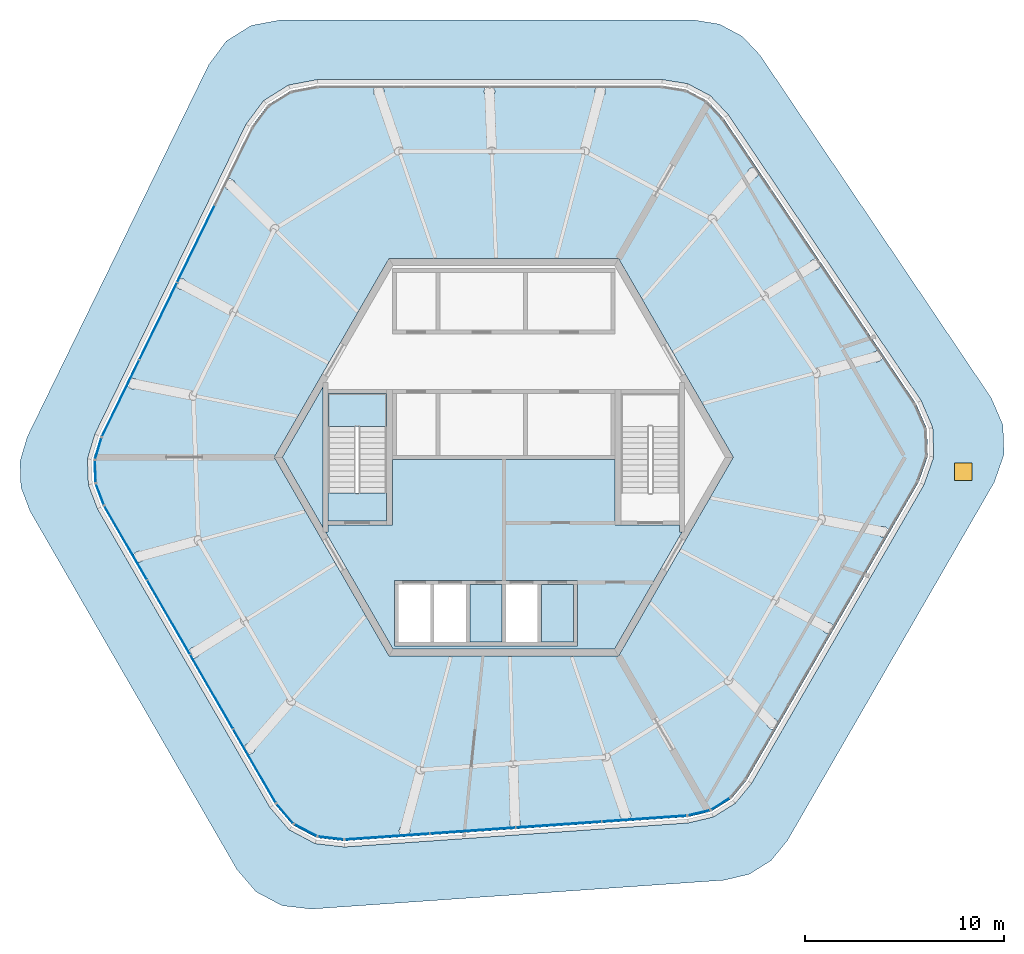
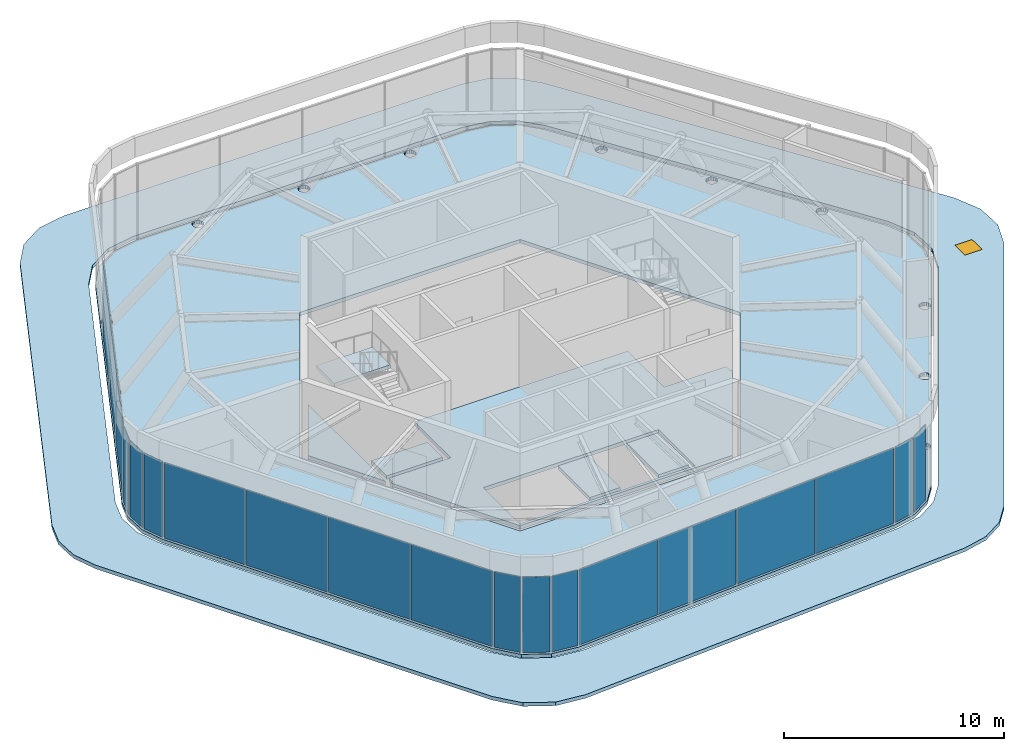
"""IFC4 building model written with IfcOpenShell, lengths in metres."""

import ifcopenshell
import ifcopenshell.guid

model = None  # the IFC model being written
_history = None  # IfcOwnerHistory: only IFC2X3 demands one
_inside = {}  # id of a spatial element -> (the spatial element, [elements in it])
_under = {}  # id of a project, library or spatial element -> (it, [spatial elements below it])
_declared = {}  # id of a project -> (the project, [libraries it declares])
_typed = {}  # id of a type object -> (the type object, [elements of that type])
_made_of = {}  # id of a material, layer set ... -> (it, [elements and type objects made of it])


def new_model(schema):
    """Start an empty IFC model of exactly this schema.

    Asked for "IFC4X3", IfcOpenShell would pick the latest addendum, in which some entities
    have other attributes; the version numbers below select the first issue.
    IFC2X3 requires an IfcOwnerHistory on every rooted entity: one is made here for all.
    """
    global model, _history
    if schema == "IFC4X3":
        model = ifcopenshell.file(schema_version=(4, 3, 0, 0))
    else:
        model = ifcopenshell.file(schema=schema)
    _inside.clear()
    _under.clear()
    _declared.clear()
    _typed.clear()
    _made_of.clear()
    _history = None
    if model.schema == "IFC2X3":
        org = make("IfcOrganization", Name="unknown")
        user = make(
            "IfcPersonAndOrganization",
            ThePerson=make("IfcPerson", FamilyName="unknown"),
            TheOrganization=org,
        )
        app = make(
            "IfcApplication",
            ApplicationDeveloper=org,
            Version="unknown",
            ApplicationFullName="unknown",
            ApplicationIdentifier="unknown",
        )
        _history = make(
            "IfcOwnerHistory",
            OwningUser=user,
            OwningApplication=app,
            ChangeAction="ADDED",
            CreationDate=0,
        )
    return model


def make(cls, **values):
    """One entity of the class cls with the attributes given. An attribute that is None is left unset."""
    return model.create_entity(
        cls, **{name: value for name, value in values.items() if value is not None}
    )


def rooted(cls, **values):
    """An entity with a GlobalId (a new one), such as an element, a storey or a relation."""
    return make(cls, GlobalId=ifcopenshell.guid.new(), OwnerHistory=_history, **values)


def si_unit(unit_type, name, prefix=None):
    """IfcSIUnit, for example si_unit("LENGTHUNIT", "METRE", prefix="MILLI")."""
    return make("IfcSIUnit", UnitType=unit_type, Prefix=prefix, Name=name)


def assignment(units):
    """IfcUnitAssignment: the units of a project."""
    return None if units is None else make("IfcUnitAssignment", Units=units)


def point(xyz):
    """IfcCartesianPoint."""
    return None if xyz is None else make("IfcCartesianPoint", Coordinates=xyz)


def direction(xyz):
    """IfcDirection."""
    return None if xyz is None else make("IfcDirection", DirectionRatios=xyz)


def frame(location, z_axis=None, x_axis=None):
    """IfcAxis2Placement3D, a coordinate frame: its origin and axes. An axis left out is left unset."""
    return make(
        "IfcAxis2Placement3D",
        Location=point(location),
        Axis=direction(z_axis),
        RefDirection=direction(x_axis),
    )


def frame_2d(location, x_axis=None):
    """IfcAxis2Placement2D, a coordinate frame in the plane: its origin and x axis."""
    return make(
        "IfcAxis2Placement2D", Location=point(location), RefDirection=direction(x_axis)
    )


def origin():
    """The frame at (0, 0, 0) with its axes left unset."""
    return frame((0.0, 0.0, 0.0))


def origin_2d():
    """The frame at (0, 0) in the plane with its x axis left unset."""
    return frame_2d((0.0, 0.0))


def place(relative_to, where):
    """IfcLocalPlacement: puts the frame where relative to a parent placement (None: the world)."""
    return make(
        "IfcLocalPlacement", PlacementRelTo=relative_to, RelativePlacement=where
    )


def context(
    kind, dimensions, precision=None, world=None, true_north=None, identifier=None
):
    """IfcGeometricRepresentationContext, for example the 3D "Model" context."""
    return make(
        "IfcGeometricRepresentationContext",
        ContextIdentifier=identifier,
        ContextType=kind,
        CoordinateSpaceDimension=dimensions,
        Precision=precision,
        WorldCoordinateSystem=world,
        TrueNorth=true_north,
    )


def subcontext(parent, identifier, kind, view, scale=None):
    """IfcGeometricRepresentationSubContext, for example "Body" below "Model"."""
    return make(
        "IfcGeometricRepresentationSubContext",
        ContextIdentifier=identifier,
        ContextType=kind,
        ParentContext=parent,
        TargetScale=scale,
        TargetView=view,
    )


def project(units=None, contexts=None):
    """IfcProject with its units and contexts."""
    return rooted(
        "IfcProject",
        Name="project",
        RepresentationContexts=contexts,
        UnitsInContext=assignment(units),
    )


def spatial(cls, under=None, at=None, **own):
    """A site, building, storey or space (cls), placed at a placement, below another one or the project."""
    s = rooted(cls, ObjectPlacement=at, **own)
    if under is not None:
        _under.setdefault(under.id(), (under, []))[1].append(s)
    return s


def polyline(points):
    """IfcPolyline through the points."""
    return make("IfcPolyline", Points=[point(p) for p in points])


def profile(cls, at=None, kind="AREA", **sizes):
    """A parametric profile (cls). Its sizes go by their IFC names, for example OverallWidth=200.0."""
    return make(cls, ProfileType=kind, Position=at, **sizes)


def rectangle(**sizes):
    """IfcRectangleProfileDef."""
    return profile("IfcRectangleProfileDef", **sizes)


def outline(outer, holes=None, kind="AREA"):
    """IfcArbitraryClosedProfileDef: a profile drawn as a closed curve; with holes, ...WithVoids."""
    if holes is None:
        return make("IfcArbitraryClosedProfileDef", ProfileType=kind, OuterCurve=outer)
    return make(
        "IfcArbitraryProfileDefWithVoids",
        ProfileType=kind,
        OuterCurve=outer,
        InnerCurves=holes,
    )


def extrude(swept, where, along, depth):
    """IfcExtrudedAreaSolid: the profile swept, set in the frame where, extruded along a direction by depth."""
    return make(
        "IfcExtrudedAreaSolid",
        SweptArea=swept,
        Position=where,
        ExtrudedDirection=direction(along),
        Depth=depth,
    )


def shape(context_of_items, identifier, shape_type, items):
    """IfcShapeRepresentation: the items that make up one representation, for example the "Body"."""
    return make(
        "IfcShapeRepresentation",
        ContextOfItems=context_of_items,
        RepresentationIdentifier=identifier,
        RepresentationType=shape_type,
        Items=items,
    )


def material(Name=None, Category=None):
    """IfcMaterial."""
    return make("IfcMaterial", Name=Name, Category=Category)


def layer(
    of_material, thickness, ventilated=None, Name=None, Category=None, Priority=None
):
    """IfcMaterialLayer: one layer of a wall or slab, of a material (None: an air gap)."""
    return make(
        "IfcMaterialLayer",
        Material=of_material,
        LayerThickness=thickness,
        IsVentilated=ventilated,
        Name=Name,
        Category=Category,
        Priority=Priority,
    )


def layer_set(layers, Name=None):
    """IfcMaterialLayerSet."""
    return make("IfcMaterialLayerSet", MaterialLayers=layers, LayerSetName=Name)


def made_of(thing, what):
    """Note that an element or type object is made of a material, layer set ...; save() writes the relation."""
    if what is not None:
        _made_of.setdefault(what.id(), (what, []))[1].append(thing)
    return thing


def type_object(cls, material=None, **own):
    """A type object (cls), such as IfcWallType, which elements share."""
    return made_of(rooted(cls, **own), material)


def element(
    cls,
    number,
    at=None,
    inside=None,
    cuts=None,
    type_object=None,
    material=None,
    context=None,
    identifier="Body",
    shape_type=None,
    held_by="IfcProductDefinitionShape",
    body=None,
    shapes=None,
    **own,
):
    """One element of the class cls, such as IfcWall. Its Tag is "e" and its number.

    at: its placement. inside: the storey or other place that contains it. cuts: it is an
    opening in that element (IfcRelVoidsElement). A single representation is given by context,
    identifier, shape_type and body (its items); several are given by shapes. held_by: the class
    of the entity that holds the representations. save() writes the other relations.
    """
    e = rooted(cls, Tag="e%d" % number, ObjectPlacement=at, **own)
    if body is not None:
        shapes = [shape(context, identifier, shape_type, body)]
    if shapes is not None:
        e.Representation = make(held_by, Representations=shapes)
    if inside is not None:
        _inside.setdefault(inside.id(), (inside, []))[1].append(e)
    if cuts is not None:
        rooted(
            "IfcRelVoidsElement", RelatingBuildingElement=cuts, RelatedOpeningElement=e
        )
    if type_object is not None:
        _typed.setdefault(type_object.id(), (type_object, []))[1].append(e)
    return made_of(e, material)


def fill(opening, filler):
    """IfcRelFillsElement: the door or window that sits in an opening."""
    return rooted(
        "IfcRelFillsElement",
        RelatingOpeningElement=opening,
        RelatedBuildingElement=filler,
    )


def aggregate(whole, parts):
    """IfcRelAggregates: a whole, such as a stair, and the parts it consists of."""
    return rooted("IfcRelAggregates", RelatingObject=whole, RelatedObjects=parts)


def save(model, path):
    """Write the relations noted so far, then the file.

    IfcRelAggregates (storeys below a building ...), IfcRelContainedInSpatialStructure (elements
    in a storey), IfcRelDefinesByType, IfcRelAssociatesMaterial and IfcRelDeclares: one each for
    every whole, place, type object, material and project.
    """
    for whole, parts in _under.values():
        aggregate(whole, parts)
    for where, things in _inside.values():
        rooted(
            "IfcRelContainedInSpatialStructure",
            RelatedElements=things,
            RelatingStructure=where,
        )
    for kind, things in _typed.values():
        rooted("IfcRelDefinesByType", RelatedObjects=things, RelatingType=kind)
    for what, things in _made_of.values():
        rooted("IfcRelAssociatesMaterial", RelatedObjects=things, RelatingMaterial=what)
    for by, libraries in _declared.values():
        rooted("IfcRelDeclares", RelatingContext=by, RelatedDefinitions=libraries)
    model.write(path)


model = new_model("IFC4")

# Units and contexts
model_context = context("Model", 3, precision=1e-05, world=origin(), true_north=direction((0.0, 1.0)))
body_context = subcontext(model_context, "Body", "Model", "MODEL_VIEW")
ifc_project = project(units=[si_unit("LENGTHUNIT", "METRE"), si_unit("AREAUNIT", "SQUARE_METRE"), si_unit("VOLUMEUNIT", "CUBIC_METRE"), si_unit("PLANEANGLEUNIT", "RADIAN"), si_unit("MASSUNIT", "GRAM", prefix="KILO")], contexts=[model_context])

# Site, building, storey
site_placement = place(None, origin())
site = spatial("IfcSite", under=ifc_project, at=site_placement, CompositionType="ELEMENT")
building_placement = place(site_placement, origin())
building = spatial("IfcBuilding", under=site, at=building_placement, Name="Tarnside Tower", CompositionType="ELEMENT")
storey_1_placement = place(building_placement, frame((0.0, 0.0, 392.699951171875)))
storey_1 = spatial("IfcBuildingStorey", under=building, at=storey_1_placement, Name="L93", CompositionType="ELEMENT", Elevation=392.699951171875)

# Slabs
ifc_material_1 = material(Name="Concrete C35/45", Category="concrete")
ifc_layer_1 = layer(ifc_material_1, 0.199951171875)
ifc_layer_set_1 = layer_set([ifc_layer_1], Name="Composite floor slab 200")
slab_type_1 = type_object("IfcSlabType", Name="Composite floor slab 200", PredefinedType="FLOOR", material=ifc_layer_set_1)
slab_1_placement = place(storey_1_placement, frame((0.0, 0.0, -0.199951171875)))
element("IfcSlab", 1, at=slab_1_placement, inside=storey_1, type_object=slab_type_1, Name="Floor slab L93", PredefinedType="FLOOR", context=body_context, shape_type="SweptSolid", body=[
    extrude(outline(polyline([(-20.3037109375, 1.029052734375), (-12.698486328125, 16.6220703125), (-11.880615234375, 17.720703125), (-10.718994140625, 18.446533203125), (-9.373046875, 18.699951171875), (7.9755859375, 18.699951171875), (9.159912109375, 18.50537109375), (10.219482421875, 17.94189453125), (11.043212890625, 17.069091796875), (20.744384765625, 2.686279296875), (21.286865234375, 1.4287109375), (21.334716796875, 0.059814453125), (20.881103515625, -1.232666015625), (12.206787109375, -16.257080078125), (11.4462890625, -17.185302734375), (10.428466796875, -17.8212890625), (9.2607421875, -18.09814453125), (-8.0458984375, -19.308349609375), (-9.40625, -19.1494140625), (-10.615478515625, -18.506103515625), (-11.50830078125, -17.46728515625), (-20.1826171875, -2.44287109375), (-20.606201171875, -1.320068359375), (-20.64794921875, -0.12060546875), (-20.3037109375, 1.029052734375)]), holes=[polyline([(-11.547119140625, 0.0), (-5.7734375, -10.0), (5.7734375, -10.0), (11.547119140625, 0.0), (5.7734375, 10.0), (-5.7734375, 10.0), (-11.547119140625, 0.0)]), polyline([(5.044921875, 18.59375), (4.9560546875, 18.653076171875), (4.851318359375, 18.674072265625), (4.746337890625, 18.653076171875), (4.657470703125, 18.59375), (4.59814453125, 18.5048828125), (4.5771484375, 18.39990234375), (4.59814453125, 18.295166015625), (4.657470703125, 18.206298828125), (4.746337890625, 18.14697265625), (4.851318359375, 18.1259765625), (4.9560546875, 18.14697265625), (5.044921875, 18.206298828125), (5.1044921875, 18.295166015625), (5.125244140625, 18.39990234375), (5.1044921875, 18.5048828125), (5.044921875, 18.59375)]), polyline([(-0.468017578125, 18.5048828125), (-0.527099609375, 18.59375), (-0.6162109375, 18.653076171875), (-0.720947265625, 18.674072265625), (-0.82568359375, 18.653076171875), (-0.914794921875, 18.59375), (-0.97412109375, 18.5048828125), (-0.9951171875, 18.39990234375), (-0.97412109375, 18.295166015625), (-0.914794921875, 18.206298828125), (-0.82568359375, 18.14697265625), (-0.720947265625, 18.1259765625), (-0.6162109375, 18.14697265625), (-0.527099609375, 18.206298828125), (-0.468017578125, 18.295166015625), (-0.447021484375, 18.39990234375), (-0.468017578125, 18.5048828125)]), polyline([(-6.019287109375, 18.39990234375), (-6.0400390625, 18.5048828125), (-6.099609375, 18.59375), (-6.1884765625, 18.653076171875), (-6.293212890625, 18.674072265625), (-6.398193359375, 18.653076171875), (-6.487060546875, 18.59375), (-6.54638671875, 18.5048828125), (-6.567138671875, 18.39990234375), (-6.54638671875, 18.295166015625), (-6.487060546875, 18.206298828125), (-6.398193359375, 18.14697265625), (-6.293212890625, 18.1259765625), (-6.1884765625, 18.14697265625), (-6.099609375, 18.206298828125), (-6.0400390625, 18.295166015625), (-6.019287109375, 18.39990234375)]), polyline([(-13.52587890625, 13.617431640625), (-13.5048828125, 13.722412109375), (-13.52587890625, 13.8271484375), (-13.585205078125, 13.916015625), (-13.67431640625, 13.9755859375), (-13.779052734375, 13.996337890625), (-13.8837890625, 13.9755859375), (-13.972900390625, 13.916015625), (-14.0322265625, 13.8271484375), (-14.052978515625, 13.722412109375), (-14.0322265625, 13.617431640625), (-13.972900390625, 13.528564453125), (-13.8837890625, 13.46923828125), (-13.779052734375, 13.4482421875), (-13.67431640625, 13.46923828125), (-13.585205078125, 13.528564453125), (-13.52587890625, 13.617431640625)]), polyline([(-16.028076171875, 8.520263671875), (-15.968505859375, 8.609130859375), (-15.94775390625, 8.714111328125), (-15.968505859375, 8.81884765625), (-16.028076171875, 8.90771484375), (-16.116943359375, 8.96728515625), (-16.2216796875, 8.988037109375), (-16.32666015625, 8.96728515625), (-16.41552734375, 8.90771484375), (-16.474853515625, 8.81884765625), (-16.495849609375, 8.714111328125), (-16.474853515625, 8.609130859375), (-16.41552734375, 8.520263671875), (-16.32666015625, 8.4609375), (-16.2216796875, 8.43994140625), (-16.116943359375, 8.4609375), (-16.028076171875, 8.520263671875)]), polyline([(-18.5595703125, 3.45263671875), (-18.470703125, 3.511962890625), (-18.411376953125, 3.600830078125), (-18.390380859375, 3.705810546875), (-18.411376953125, 3.810546875), (-18.470703125, 3.8994140625), (-18.5595703125, 3.958984375), (-18.66455078125, 3.979736328125), (-18.769287109375, 3.958984375), (-18.858154296875, 3.8994140625), (-18.91748046875, 3.810546875), (-18.9384765625, 3.705810546875), (-18.91748046875, 3.600830078125), (-18.858154296875, 3.511962890625), (-18.769287109375, 3.45263671875), (-18.66455078125, 3.431640625), (-18.5595703125, 3.45263671875)]), polyline([(-18.360595703125, -5.272705078125), (-18.255615234375, -5.251708984375), (-18.166748046875, -5.1923828125), (-18.107421875, -5.103515625), (-18.08642578125, -4.998779296875), (-18.107421875, -4.893798828125), (-18.166748046875, -4.804931640625), (-18.255615234375, -4.74560546875), (-18.360595703125, -4.724609375), (-18.46533203125, -4.74560546875), (-18.55419921875, -4.804931640625), (-18.613525390625, -4.893798828125), (-18.634521484375, -4.998779296875), (-18.613525390625, -5.103515625), (-18.55419921875, -5.1923828125), (-18.46533203125, -5.251708984375), (-18.360595703125, -5.272705078125)]), polyline([(-15.67919921875, -10.077392578125), (-15.574462890625, -10.098388671875), (-15.469482421875, -10.077392578125), (-15.380615234375, -10.01806640625), (-15.3212890625, -9.92919921875), (-15.30029296875, -9.824462890625), (-15.3212890625, -9.719482421875), (-15.380615234375, -9.630615234375), (-15.469482421875, -9.5712890625), (-15.574462890625, -9.55029296875), (-15.67919921875, -9.5712890625), (-15.76806640625, -9.630615234375), (-15.827392578125, -9.719482421875), (-15.848388671875, -9.824462890625), (-15.827392578125, -9.92919921875), (-15.76806640625, -10.01806640625), (-15.67919921875, -10.077392578125)]), polyline([(-12.98193359375, -14.84375), (-12.89306640625, -14.9033203125), (-12.788330078125, -14.924072265625), (-12.683349609375, -14.9033203125), (-12.594482421875, -14.84375), (-12.53515625, -14.7548828125), (-12.514404296875, -14.650146484375), (-12.53515625, -14.545166015625), (-12.594482421875, -14.456298828125), (-12.683349609375, -14.39697265625), (-12.788330078125, -14.376220703125), (-12.89306640625, -14.39697265625), (-12.98193359375, -14.456298828125), (-13.04150390625, -14.545166015625), (-13.062255859375, -14.650146484375), (-13.04150390625, -14.7548828125), (-12.98193359375, -14.84375)]), polyline([(-5.24755859375, -18.89892578125), (-5.18798828125, -18.98779296875), (-5.09912109375, -19.04736328125), (-4.994384765625, -19.068115234375), (-4.889404296875, -19.04736328125), (-4.800537109375, -18.98779296875), (-4.7412109375, -18.89892578125), (-4.720458984375, -18.794189453125), (-4.7412109375, -18.689208984375), (-4.800537109375, -18.600341796875), (-4.889404296875, -18.541015625), (-4.994384765625, -18.520263671875), (-5.09912109375, -18.541015625), (-5.18798828125, -18.600341796875), (-5.24755859375, -18.689208984375), (-5.268310546875, -18.794189453125), (-5.24755859375, -18.89892578125)]), polyline([(0.290283203125, -18.405517578125), (0.311279296875, -18.51025390625), (0.37060546875, -18.59912109375), (0.45947265625, -18.65869140625), (0.564208984375, -18.679443359375), (0.669189453125, -18.65869140625), (0.758056640625, -18.59912109375), (0.8173828125, -18.51025390625), (0.83837890625, -18.405517578125), (0.8173828125, -18.300537109375), (0.758056640625, -18.211669921875), (0.669189453125, -18.15234375), (0.564208984375, -18.131591796875), (0.45947265625, -18.15234375), (0.37060546875, -18.211669921875), (0.311279296875, -18.300537109375), (0.290283203125, -18.405517578125)]), polyline([(5.869873046875, -17.911865234375), (5.84912109375, -18.016845703125), (5.869873046875, -18.12158203125), (5.92919921875, -18.21044921875), (6.01806640625, -18.27001953125), (6.123046875, -18.290771484375), (6.227783203125, -18.27001953125), (6.316650390625, -18.21044921875), (6.376220703125, -18.12158203125), (6.39697265625, -18.016845703125), (6.376220703125, -17.911865234375), (6.316650390625, -17.822998046875), (6.227783203125, -17.763671875), (6.123046875, -17.742919921875), (6.01806640625, -17.763671875), (5.92919921875, -17.822998046875), (5.869873046875, -17.911865234375)]), polyline([(13.3154296875, -13.20751953125), (13.256103515625, -13.29638671875), (13.235107421875, -13.4013671875), (13.256103515625, -13.506103515625), (13.3154296875, -13.594970703125), (13.404296875, -13.654296875), (13.50927734375, -13.67529296875), (13.614013671875, -13.654296875), (13.702880859375, -13.594970703125), (13.762451171875, -13.506103515625), (13.783203125, -13.4013671875), (13.762451171875, -13.29638671875), (13.702880859375, -13.20751953125), (13.614013671875, -13.148193359375), (13.50927734375, -13.127197265625), (13.404296875, -13.148193359375), (13.3154296875, -13.20751953125)]), polyline([(16.1904296875, -8.322509765625), (16.1015625, -8.3818359375), (16.042236328125, -8.470703125), (16.021484375, -8.57568359375), (16.042236328125, -8.680419921875), (16.1015625, -8.769287109375), (16.1904296875, -8.82861328125), (16.29541015625, -8.849609375), (16.400146484375, -8.82861328125), (16.489013671875, -8.769287109375), (16.548583984375, -8.680419921875), (16.5693359375, -8.57568359375), (16.548583984375, -8.470703125), (16.489013671875, -8.3818359375), (16.400146484375, -8.322509765625), (16.29541015625, -8.301513671875), (16.1904296875, -8.322509765625)]), polyline([(19.08154296875, -3.475830078125), (18.9765625, -3.496826171875), (18.8876953125, -3.55615234375), (18.828369140625, -3.64501953125), (18.8076171875, -3.75), (18.828369140625, -3.854736328125), (18.8876953125, -3.943603515625), (18.9765625, -4.0029296875), (19.08154296875, -4.02392578125), (19.186279296875, -4.0029296875), (19.275146484375, -3.943603515625), (19.334716796875, -3.854736328125), (19.35546875, -3.75), (19.334716796875, -3.64501953125), (19.275146484375, -3.55615234375), (19.186279296875, -3.496826171875), (19.08154296875, -3.475830078125)]), polyline([(18.87841796875, 5.324951171875), (18.7734375, 5.345703125), (18.668701171875, 5.324951171875), (18.57958984375, 5.265625), (18.520263671875, 5.1767578125), (18.49951171875, 5.07177734375), (18.520263671875, 4.967041015625), (18.57958984375, 4.878173828125), (18.668701171875, 4.818603515625), (18.7734375, 4.7978515625), (18.87841796875, 4.818603515625), (18.96728515625, 4.878173828125), (19.026611328125, 4.967041015625), (19.04736328125, 5.07177734375), (19.026611328125, 5.1767578125), (18.96728515625, 5.265625), (18.87841796875, 5.324951171875)]), polyline([(15.851318359375, 9.88525390625), (15.76220703125, 9.944580078125), (15.657470703125, 9.96533203125), (15.552490234375, 9.944580078125), (15.463623046875, 9.88525390625), (15.404296875, 9.79638671875), (15.383544921875, 9.69140625), (15.404296875, 9.586669921875), (15.463623046875, 9.497802734375), (15.552490234375, 9.438232421875), (15.657470703125, 9.41748046875), (15.76220703125, 9.438232421875), (15.851318359375, 9.497802734375), (15.91064453125, 9.586669921875), (15.931396484375, 9.69140625), (15.91064453125, 9.79638671875), (15.851318359375, 9.88525390625)]), polyline([(12.794677734375, 14.416015625), (12.735107421875, 14.5048828125), (12.646484375, 14.564208984375), (12.54150390625, 14.5849609375), (12.4365234375, 14.564208984375), (12.347900390625, 14.5048828125), (12.288330078125, 14.416015625), (12.267578125, 14.31103515625), (12.288330078125, 14.206298828125), (12.347900390625, 14.1171875), (12.4365234375, 14.057861328125), (12.54150390625, 14.037109375), (12.646484375, 14.057861328125), (12.735107421875, 14.1171875), (12.794677734375, 14.206298828125), (12.8154296875, 14.31103515625), (12.794677734375, 14.416015625)])]), origin(), (0.0, 0.0, 1.0), 0.199951171875),
])
ifc_material_2 = material(Name="Concrete C40/50", Category="concrete")
ifc_layer_2 = layer(ifc_material_2, 0.199951171875)
ifc_layer_set_2 = layer_set([ifc_layer_2], Name="Core crown slab C40/50")
slab_type_2 = type_object("IfcSlabType", Name="Core crown slab C40/50", PredefinedType="FLOOR", material=ifc_layer_set_2)
slab_2_placement = place(storey_1_placement, frame((0.0, 0.0, -0.199951171875)))
element("IfcSlab", 2, at=slab_2_placement, inside=storey_1, type_object=slab_type_2, Name="L93 core floor slab 2", PredefinedType="FLOOR", context=body_context, shape_type="SweptSolid", body=[
    extrude(outline(polyline([(-9.10009765625, -3.538330078125), (-11.142822265625, 0.0), (-9.10009765625, 3.538330078125), (-9.10009765625, -3.538330078125)])), origin(), (0.0, 0.0, 1.0), 0.199951171875),
])
slab_3_placement = place(storey_1_placement, frame((0.0, 0.0, -0.199951171875)))
element("IfcSlab", 3, at=slab_3_placement, inside=storey_1, type_object=slab_type_2, Name="L93 core floor slab 3", PredefinedType="FLOOR", context=body_context, shape_type="SweptSolid", body=[
    extrude(outline(polyline([(-8.85009765625, -3.7548828125), (-8.85009765625, -3.39990234375), (-5.89990234375, -3.39990234375), (-5.60009765625, -3.39990234375), (-5.60009765625, -0.10009765625), (5.60009765625, -0.10009765625), (5.60009765625, -3.39990234375), (5.89990234375, -3.39990234375), (8.85009765625, -3.39990234375), (8.85009765625, -3.7548828125), (8.97509765625, -3.7548828125), (5.5712890625, -9.64990234375), (-5.5712890625, -9.64990234375), (-8.97509765625, -3.7548828125), (-8.85009765625, -3.7548828125)]), holes=[polyline([(-5.5, -9.5), (3.699951171875, -9.5), (3.699951171875, -9.300048828125), (3.699951171875, -6.39990234375), (3.699951171875, -6.199951171875), (-5.5, -6.199951171875), (-5.5, -6.39990234375), (-5.5, -9.300048828125), (-5.5, -9.5)])]), origin(), (0.0, 0.0, 1.0), 0.199951171875),
])
slab_4_placement = place(storey_1_placement, frame((0.0, 0.0, -0.199951171875)))
element("IfcSlab", 4, at=slab_4_placement, inside=storey_1, type_object=slab_type_2, Name="L93 core floor slab 6", PredefinedType="FLOOR", context=body_context, shape_type="SweptSolid", body=[
    extrude(outline(polyline([(-8.85009765625, -3.199951171875), (-8.85009765625, -1.800048828125), (-5.89990234375, -1.800048828125), (-5.89990234375, -3.199951171875), (-8.85009765625, -3.199951171875)])), origin(), (0.0, 0.0, 1.0), 0.199951171875),
])
slab_5_placement = place(storey_1_placement, frame((0.0, 0.0, -0.199951171875)))
element("IfcSlab", 5, at=slab_5_placement, inside=storey_1, type_object=slab_type_2, Name="L93 core floor slab 10", PredefinedType="FLOOR", context=body_context, shape_type="SweptSolid", body=[
    extrude(outline(polyline([(3.5, -9.300048828125), (1.89990234375, -9.300048828125), (1.89990234375, -6.39990234375), (3.5, -6.39990234375), (3.5, -9.300048828125)])), origin(), (0.0, 0.0, 1.0), 0.199951171875),
])
slab_6_placement = place(storey_1_placement, frame((0.0, 0.0, -0.199951171875)))
element("IfcSlab", 6, at=slab_6_placement, inside=storey_1, type_object=slab_type_2, Name="L93 core floor slab 11", PredefinedType="FLOOR", context=body_context, shape_type="SweptSolid", body=[
    extrude(outline(polyline([(-0.10009765625, -9.300048828125), (-1.699951171875, -9.300048828125), (-1.699951171875, -6.39990234375), (-0.10009765625, -6.39990234375), (-0.10009765625, -9.300048828125)])), origin(), (0.0, 0.0, 1.0), 0.199951171875),
])

# Curtain wall, plate
ifc_material_3 = material(Name="Crown glazing wall", Category="glass")
curtain_wall_type = type_object("IfcCurtainWallType", Name="Crown glazing wall", PredefinedType="NOTDEFINED", material=ifc_material_3)
curtain_wall_1_placement = place(storey_1_placement, origin())
curtain_wall_1 = element("IfcCurtainWall", 7, at=curtain_wall_1_placement, inside=storey_1, type_object=curtain_wall_type, Name="Crown glazing L93 10", PredefinedType="NOTDEFINED")
ifc_material_4 = material(Name="Low-iron safety glass", Category="glass")
ifc_layer_3 = layer(ifc_material_4, 0.028076171875)
ifc_layer_set_3 = layer_set([ifc_layer_3], Name="Crown glazing panel 28")
plate_type_1 = type_object("IfcPlateType", Name="Crown glazing panel 28", PredefinedType="CURTAIN_PANEL", material=ifc_layer_set_3)
plate_1_placement = place(storey_1_placement, frame((10.899169921875, -17.4423828125, 0.05029296875), z_axis=(0.0, 0.0, 1.0), x_axis=(-0.84804809624, -0.5299192641, 0.0)))
plate_1 = element("IfcPlate", 8, at=plate_1_placement, type_object=plate_type_1, Name="CW6 panel 1.1", PredefinedType="CURTAIN_PANEL", context=body_context, shape_type="SweptSolid", body=[
    extrude(rectangle(XDim=1.076416015625, YDim=0.028076171875, at=origin_2d()), origin(), (0.0, 0.0, 1.0), 4.199951171875),
])
aggregate(curtain_wall_1, [plate_1])

curtain_wall_2_placement = place(storey_1_placement, origin())
curtain_wall_2 = element("IfcCurtainWall", 9, at=curtain_wall_2_placement, inside=storey_1, type_object=curtain_wall_type, Name="Crown glazing L93 11", PredefinedType="NOTDEFINED")
plate_2_placement = place(storey_1_placement, frame((9.819091796875, -17.891845703125, 0.05029296875), z_axis=(0.0, 0.0, 1.0), x_axis=(-0.973044870472, -0.230615871195, 0.0)))
plate_2 = element("IfcPlate", 10, at=plate_2_placement, type_object=plate_type_1, Name="CW6 panel 1.1", PredefinedType="CURTAIN_PANEL", context=body_context, shape_type="SweptSolid", body=[
    extrude(rectangle(XDim=1.0947265625, YDim=0.028076171875, at=origin_2d()), origin(), (0.0, 0.0, 1.0), 4.199951171875),
])
aggregate(curtain_wall_2, [plate_2])

curtain_wall_3_placement = place(storey_1_placement, origin())
curtain_wall_3 = element("IfcCurtainWall", 11, at=curtain_wall_3_placement, inside=storey_1, type_object=curtain_wall_type, Name="Crown glazing L93 13", PredefinedType="NOTDEFINED")
plate_3_placement = place(storey_1_placement, frame((-8.707275390625, -19.157958984375, 0.05029296875), z_axis=(0.0, 0.0, 1.0), x_axis=(-0.993238357735, 0.116092914183, 0.0)))
plate_3 = element("IfcPlate", 12, at=plate_3_placement, type_object=plate_type_1, Name="CW6 panel 1.1", PredefinedType="CURTAIN_PANEL", context=body_context, shape_type="SweptSolid", body=[
    extrude(rectangle(XDim=1.26318359375, YDim=0.028076171875, at=origin_2d()), origin(), (0.0, 0.0, 1.0), 4.199951171875),
])
aggregate(curtain_wall_3, [plate_3])

curtain_wall_4_placement = place(storey_1_placement, origin())
curtain_wall_4 = element("IfcCurtainWall", 13, at=curtain_wall_4_placement, inside=storey_1, type_object=curtain_wall_type, Name="Crown glazing L93 14", PredefinedType="NOTDEFINED")
plate_4_placement = place(storey_1_placement, frame((-9.976806640625, -18.763671875, 0.05029296875), z_axis=(0.0, 0.0, 1.0), x_axis=(-0.882947592998, 0.469471562524, 0.0)))
plate_4 = element("IfcPlate", 14, at=plate_4_placement, type_object=plate_type_1, Name="CW6 panel 1.1", PredefinedType="CURTAIN_PANEL", context=body_context, shape_type="SweptSolid", body=[
    extrude(rectangle(XDim=1.242431640625, YDim=0.028076171875, at=origin_2d()), origin(), (0.0, 0.0, 1.0), 4.199951171875),
])
aggregate(curtain_wall_4, [plate_4])

curtain_wall_5_placement = place(storey_1_placement, origin())
curtain_wall_5 = element("IfcCurtainWall", 15, at=curtain_wall_5_placement, inside=storey_1, type_object=curtain_wall_type, Name="Crown glazing L93 15", PredefinedType="NOTDEFINED")
plate_5_placement = place(storey_1_placement, frame((-11.013671875, -17.931640625, 0.05029296875), z_axis=(0.0, 0.0, 1.0), x_axis=(-0.651657228588, 0.75851358355, 0.0)))
plate_5 = element("IfcPlate", 16, at=plate_5_placement, type_object=plate_type_1, Name="CW6 panel 1.1", PredefinedType="CURTAIN_PANEL", context=body_context, shape_type="SweptSolid", body=[
    extrude(rectangle(XDim=1.26318359375, YDim=0.028076171875, at=origin_2d()), origin(), (0.0, 0.0, 1.0), 4.199951171875),
])
aggregate(curtain_wall_5, [plate_5])

curtain_wall_6_placement = place(storey_1_placement, origin())
curtain_wall_6 = element("IfcCurtainWall", 17, at=curtain_wall_6_placement, inside=storey_1, type_object=curtain_wall_type, Name="Crown glazing L93 17", PredefinedType="NOTDEFINED")
plate_6_placement = place(storey_1_placement, frame((-20.32373046875, -1.864501953125, 0.05029296875), z_axis=(0.0, 0.0, 1.0), x_axis=(-0.352930564752, 0.935649515825, 0.0)))
plate_6 = element("IfcPlate", 18, at=plate_6_placement, type_object=plate_type_1, Name="CW6 panel 1.1", PredefinedType="CURTAIN_PANEL", context=body_context, shape_type="SweptSolid", body=[
    extrude(rectangle(XDim=1.0947265625, YDim=0.028076171875, at=origin_2d()), origin(), (0.0, 0.0, 1.0), 4.199951171875),
])
aggregate(curtain_wall_6, [plate_6])

curtain_wall_7_placement = place(storey_1_placement, origin())
curtain_wall_7 = element("IfcCurtainWall", 19, at=curtain_wall_7_placement, inside=storey_1, type_object=curtain_wall_type, Name="Crown glazing L93 18", PredefinedType="NOTDEFINED")
plate_7_placement = place(storey_1_placement, frame((-20.554931640625, -0.7177734375, 0.05029296875), z_axis=(0.0, 0.0, 1.0), x_axis=(-0.034899496266, 0.999390827034, 0.0)))
plate_7 = element("IfcPlate", 20, at=plate_7_placement, type_object=plate_type_1, Name="CW6 panel 1.1", PredefinedType="CURTAIN_PANEL", context=body_context, shape_type="SweptSolid", body=[
    extrude(rectangle(XDim=1.076416015625, YDim=0.028076171875, at=origin_2d()), origin(), (0.0, 0.0, 1.0), 4.199951171875),
])
aggregate(curtain_wall_7, [plate_7])

curtain_wall_8_placement = place(storey_1_placement, origin())
curtain_wall_8 = element("IfcCurtainWall", 21, at=curtain_wall_8_placement, inside=storey_1, type_object=curtain_wall_type, Name="Crown glazing L93 19", PredefinedType="NOTDEFINED")
plate_8_placement = place(storey_1_placement, frame((-20.404296875, 0.4423828125, 0.05029296875), z_axis=(0.0, 0.0, 1.0), x_axis=(0.286803232667, 0.957989512329, 0.0)))
plate_8 = element("IfcPlate", 22, at=plate_8_placement, type_object=plate_type_1, Name="CW6 panel 1.1", PredefinedType="CURTAIN_PANEL", context=body_context, shape_type="SweptSolid", body=[
    extrude(rectangle(XDim=1.0947265625, YDim=0.028076171875, at=origin_2d()), origin(), (0.0, 0.0, 1.0), 4.199951171875),
])
aggregate(curtain_wall_8, [plate_8])

# Curtain wall, plates
curtain_wall_9_placement = place(storey_1_placement, origin())
curtain_wall_9 = element("IfcCurtainWall", 23, at=curtain_wall_9_placement, inside=storey_1, type_object=curtain_wall_type, Name="Crown glazing L93 12", PredefinedType="NOTDEFINED")
ifc_material_5 = material(Name="Insulated aluminium panel", Category="aluminium")
ifc_layer_4 = layer(ifc_material_5, 0.028076171875)
ifc_layer_set_4 = layer_set([ifc_layer_4], Name="Crown glazing spandrel panel 28")
plate_type_2 = type_object("IfcPlateType", Name="Crown glazing spandrel panel 28", PredefinedType="CURTAIN_PANEL", material=ifc_layer_set_4)
plate_9_placement = place(storey_1_placement, frame((7.06689453125, -18.181396484375, 0.05029296875), z_axis=(0.0, 0.0, 1.0), x_axis=(-0.997564050261, -0.069756473727, 0.0)))
plate_9 = element("IfcPlate", 24, at=plate_9_placement, type_object=plate_type_2, Name="CW6 panel 1.1", PredefinedType="CURTAIN_PANEL", context=body_context, shape_type="SweptSolid", body=[
    extrude(rectangle(XDim=4.25244140625, YDim=0.028076171875, at=origin_2d()), origin(), (0.0, 0.0, 1.0), 4.199951171875),
])
plate_10_placement = place(storey_1_placement, frame((2.762451171875, -18.482421875, 0.05029296875), z_axis=(0.0, 0.0, 1.0), x_axis=(-0.997564050261, -0.069756473727, 0.0)))
plate_10 = element("IfcPlate", 25, at=plate_10_placement, type_object=plate_type_2, Name="CW6 panel 2.1", PredefinedType="CURTAIN_PANEL", context=body_context, shape_type="SweptSolid", body=[
    extrude(rectangle(XDim=4.277587890625, YDim=0.028076171875, at=origin_2d()), origin(), (0.0, 0.0, 1.0), 4.199951171875),
])
plate_11_placement = place(storey_1_placement, frame((-1.5546875, -18.7841796875, 0.05029296875), z_axis=(0.0, 0.0, 1.0), x_axis=(-0.997564050261, -0.069756473727, 0.0)))
plate_11 = element("IfcPlate", 26, at=plate_11_placement, type_object=plate_type_2, Name="CW6 panel 3.1", PredefinedType="CURTAIN_PANEL", context=body_context, shape_type="SweptSolid", body=[
    extrude(rectangle(XDim=4.277587890625, YDim=0.028076171875, at=origin_2d()), origin(), (0.0, 0.0, 1.0), 4.199951171875),
])
plate_12_placement = place(storey_1_placement, frame((-5.859130859375, -19.085205078125, 0.05029296875), z_axis=(0.0, 0.0, 1.0), x_axis=(-0.997564050261, -0.069756473727, 0.0)))
plate_12 = element("IfcPlate", 27, at=plate_12_placement, type_object=plate_type_2, Name="CW6 panel 4.1", PredefinedType="CURTAIN_PANEL", context=body_context, shape_type="SweptSolid", body=[
    extrude(rectangle(XDim=4.25244140625, YDim=0.028076171875, at=origin_2d()), origin(), (0.0, 0.0, 1.0), 4.199951171875),
])
aggregate(curtain_wall_9, [plate_9, plate_10, plate_11, plate_12])

curtain_wall_10_placement = place(storey_1_placement, origin())
curtain_wall_10 = element("IfcCurtainWall", 28, at=curtain_wall_10_placement, inside=storey_1, type_object=curtain_wall_type, Name="Crown glazing L93 16", PredefinedType="NOTDEFINED")
plate_13_placement = place(storey_1_placement, frame((-12.5458984375, -15.52978515625, 0.05029296875), z_axis=(0.0, 0.0, 1.0), x_axis=(-0.500000000045, 0.866025403758, 0.0)))
plate_13 = element("IfcPlate", 29, at=plate_13_placement, type_object=plate_type_2, Name="CW6 panel 1.1", PredefinedType="CURTAIN_PANEL", context=body_context, shape_type="SweptSolid", body=[
    extrude(rectangle(XDim=4.25244140625, YDim=0.028076171875, at=origin_2d()), origin(), (0.0, 0.0, 1.0), 4.199951171875),
])
plate_14_placement = place(storey_1_placement, frame((-14.703369140625, -11.79296875, 0.05029296875), z_axis=(0.0, 0.0, 1.0), x_axis=(-0.500000000045, 0.866025403758, 0.0)))
plate_14 = element("IfcPlate", 30, at=plate_14_placement, type_object=plate_type_2, Name="CW6 panel 2.1", PredefinedType="CURTAIN_PANEL", context=body_context, shape_type="SweptSolid", body=[
    extrude(rectangle(XDim=4.277587890625, YDim=0.028076171875, at=origin_2d()), origin(), (0.0, 0.0, 1.0), 4.199951171875),
])
plate_15_placement = place(storey_1_placement, frame((-16.8671875, -8.045166015625, 0.05029296875), z_axis=(0.0, 0.0, 1.0), x_axis=(-0.500000000045, 0.866025403758, 0.0)))
plate_15 = element("IfcPlate", 31, at=plate_15_placement, type_object=plate_type_2, Name="CW6 panel 3.1", PredefinedType="CURTAIN_PANEL", context=body_context, shape_type="SweptSolid", body=[
    extrude(rectangle(XDim=4.277587890625, YDim=0.028076171875, at=origin_2d()), origin(), (0.0, 0.0, 1.0), 4.199951171875),
])
plate_16_placement = place(storey_1_placement, frame((-19.024658203125, -4.30810546875, 0.05029296875), z_axis=(0.0, 0.0, 1.0), x_axis=(-0.500000000045, 0.866025403758, 0.0)))
plate_16 = element("IfcPlate", 32, at=plate_16_placement, type_object=plate_type_2, Name="CW6 panel 4.1", PredefinedType="CURTAIN_PANEL", context=body_context, shape_type="SweptSolid", body=[
    extrude(rectangle(XDim=4.25244140625, YDim=0.028076171875, at=origin_2d()), origin(), (0.0, 0.0, 1.0), 4.199951171875),
])
aggregate(curtain_wall_10, [plate_13, plate_14, plate_15, plate_16])

curtain_wall_11_placement = place(storey_1_placement, origin())
curtain_wall_11 = element("IfcCurtainWall", 33, at=curtain_wall_11_placement, inside=storey_1, type_object=curtain_wall_type, Name="Crown glazing L93 20", PredefinedType="NOTDEFINED")
plate_17_placement = place(storey_1_placement, frame((-19.279052734375, 2.970458984375, 0.05029296875), z_axis=(0.0, 0.0, 1.0), x_axis=(0.438371146758, 0.898794046314, 0.0)))
plate_17 = element("IfcPlate", 34, at=plate_17_placement, type_object=plate_type_2, Name="CW6 panel 1.1", PredefinedType="CURTAIN_PANEL", context=body_context, shape_type="SweptSolid", body=[
    extrude(rectangle(XDim=4.25244140625, YDim=0.028076171875, at=origin_2d()), origin(), (0.0, 0.0, 1.0), 4.199951171875),
])
plate_18_placement = place(storey_1_placement, frame((-17.387451171875, 6.848876953125, 0.05029296875), z_axis=(0.0, 0.0, 1.0), x_axis=(0.438371146758, 0.898794046314, 0.0)))
plate_18 = element("IfcPlate", 35, at=plate_18_placement, type_object=plate_type_2, Name="CW6 panel 2.1", PredefinedType="CURTAIN_PANEL", context=body_context, shape_type="SweptSolid", body=[
    extrude(rectangle(XDim=4.277587890625, YDim=0.028076171875, at=origin_2d()), origin(), (0.0, 0.0, 1.0), 4.199951171875),
])
plate_19_placement = place(storey_1_placement, frame((-15.490234375, 10.738525390625, 0.05029296875), z_axis=(0.0, 0.0, 1.0), x_axis=(0.438371146758, 0.898794046314, 0.0)))
plate_19 = element("IfcPlate", 36, at=plate_19_placement, type_object=plate_type_2, Name="CW6 panel 3.1", PredefinedType="CURTAIN_PANEL", context=body_context, shape_type="SweptSolid", body=[
    extrude(rectangle(XDim=4.277587890625, YDim=0.028076171875, at=origin_2d()), origin(), (0.0, 0.0, 1.0), 4.199951171875),
])
aggregate(curtain_wall_11, [plate_17, plate_18, plate_19])

# Slab, opening
ifc_layer_5 = layer(ifc_material_1, 0.199951171875)
ifc_layer_set_5 = layer_set([ifc_layer_5], Name="Setback roof slab 200")
slab_type_3 = type_object("IfcSlabType", Name="Setback roof slab 200", PredefinedType="ROOF", material=ifc_layer_set_5)
slab_7_placement = place(storey_1_placement, frame((0.0, 0.0, -0.199951171875)))
slab_7 = element("IfcSlab", 37, at=slab_7_placement, inside=storey_1, type_object=slab_type_3, Name="Setback roof L92", PredefinedType="ROOF", context=body_context, shape_type="SweptSolid", body=[
    extrude(outline(polyline([(10.85107421875, 21.78955078125), (11.99658203125, 21.180419921875), (12.886962890625, 20.23681640625), (24.5283203125, 2.9775390625), (25.114990234375, 1.617919921875), (25.16650390625, 0.137939453125), (24.67626953125, -1.25927734375), (14.26708984375, -19.28857421875), (13.44482421875, -20.2919921875), (12.344482421875, -20.9794921875), (11.08203125, -21.27880859375), (-9.685546875, -22.73095703125), (-11.15625, -22.55908203125), (-12.4638671875, -21.864013671875), (-13.4287109375, -20.74072265625), (-23.837890625, -2.71142578125), (-24.2958984375, -1.49755859375), (-24.341064453125, -0.200927734375), (-23.968994140625, 1.0419921875), (-14.8427734375, 19.75341796875), (-13.95849609375, 20.941162109375), (-12.702880859375, 21.725830078125), (-11.24755859375, 22.0), (9.57080078125, 22.0), (10.85107421875, 21.78955078125)]), holes=[polyline([(7.9755859375, 19.0), (-9.373046875, 19.0), (-10.828125, 18.725830078125), (-12.083984375, 17.941162109375), (-12.96826171875, 16.75341796875), (-20.573486328125, 1.16064453125), (-20.945556640625, -0.082275390625), (-20.900146484375, -1.37890625), (-20.4423828125, -2.5927734375), (-11.76806640625, -17.6171875), (-10.802978515625, -18.740478515625), (-9.49560546875, -19.435546875), (-8.02490234375, -19.607666015625), (9.281494140625, -18.3974609375), (10.5439453125, -18.09814453125), (11.644287109375, -17.41064453125), (12.466552734375, -16.4072265625), (21.14111328125, -1.3828125), (21.63134765625, 0.0146484375), (21.57958984375, 1.494384765625), (20.9931640625, 2.85400390625), (11.291748046875, 17.23681640625), (10.4013671875, 18.180419921875), (9.255859375, 18.78955078125), (7.9755859375, 19.0)])]), origin(), (0.0, 0.0, 1.0), 0.199951171875),
])
opening_placement = place(slab_7_placement, frame((23.115966796875, -0.72998046875, 0.0)))
opening = element("IfcOpeningElement", 38, at=opening_placement, cuts=slab_7, Name="Opening RH", PredefinedType="OPENING", context=body_context, shape_type="SweptSolid", body=[
    extrude(rectangle(XDim=0.89990234375, YDim=0.89990234375, at=origin_2d()), origin(), (0.0, 0.0, 1.0), 0.199951171875),
])

# Storey
storey_2_placement = place(building_placement, frame((0.0, 0.0, 388.199951171875)))
storey_2 = spatial("IfcBuildingStorey", under=building, at=storey_2_placement, Name="L92", CompositionType="ELEMENT", Elevation=388.199951171875)

# Door
ifc_material_6 = material(Name="Aluminium alloy 6063", Category="aluminium")
door_type = type_object("IfcDoorType", Name="Roof access hatch 900 x 900", OperationType="NOTDEFINED", PredefinedType="TRAPDOOR", material=ifc_material_6)
door_placement = place(opening_placement, frame((0.0, 0.0, 0.14990234375)))
door = element("IfcDoor", 39, at=door_placement, inside=storey_2, type_object=door_type, Name="Roof access hatch", OperationType="SINGLE_SWING_LEFT", OverallHeight=0.89990234375, OverallWidth=0.89990234375, PredefinedType="TRAPDOOR", context=body_context, shape_type="SweptSolid", body=[
    extrude(rectangle(XDim=0.89990234375, YDim=0.89990234375, at=origin_2d()), origin(), (0.0, 0.0, 1.0), 0.050048828125),
])

fill(opening, door)

# Stair, slab
stair_type = type_object("IfcStairType", Name="Exit stair 1400 clear", PredefinedType="HALF_TURN_STAIR", material=ifc_material_2)
stair_placement = place(storey_1_placement, origin())
stair = element("IfcStair", 40, at=stair_placement, inside=storey_1, type_object=stair_type, Name="L93 Exit stair 2", PredefinedType="HALF_TURN_STAIR")
ifc_layer_6 = layer(ifc_material_2, 0.199951171875)
ifc_layer_set_6 = layer_set([ifc_layer_6], Name="Stair landing 200 C40/50")
slab_type_4 = type_object("IfcSlabType", Name="Stair landing 200 C40/50", PredefinedType="LANDING", material=ifc_layer_set_6)
slab_8_placement = place(storey_1_placement, frame((0.0, 0.0, 2.050048828125)))
slab_8 = element("IfcSlab", 41, at=slab_8_placement, type_object=slab_type_4, Name="ST2 landing 1", PredefinedType="LANDING", context=body_context, shape_type="SweptSolid", body=[
    extrude(outline(polyline([(-5.89990234375, 1.56005859375), (-5.89990234375, 3.199951171875), (-8.85009765625, 3.199951171875), (-8.85009765625, 1.56005859375), (-5.89990234375, 1.56005859375)])), origin(), (0.0, 0.0, 1.0), 0.199951171875),
])
aggregate(stair, [slab_8])

save(model, "model.ifc")
